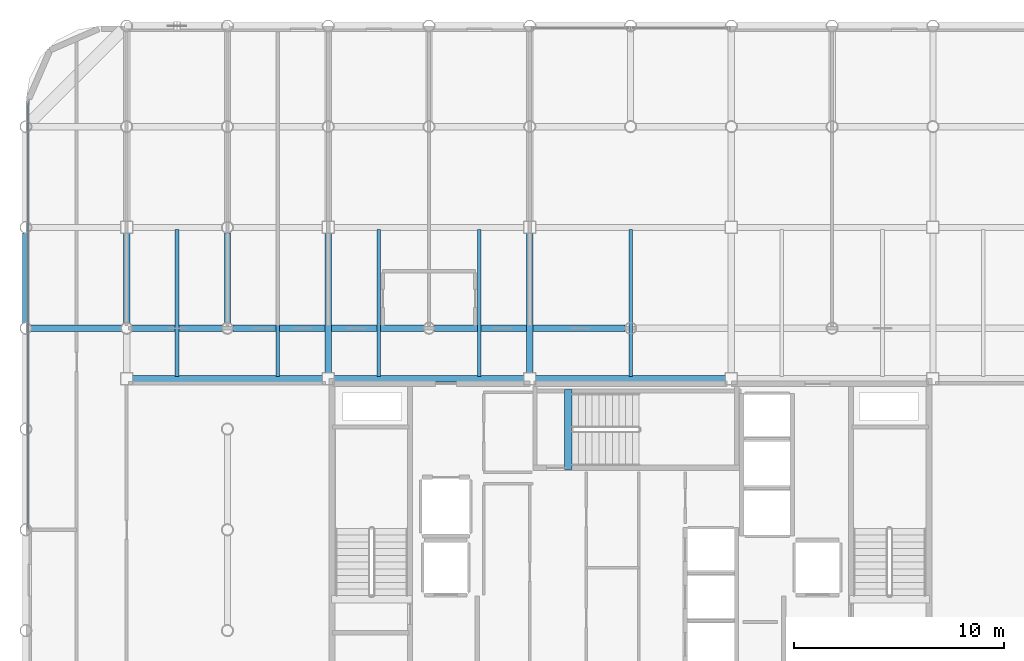
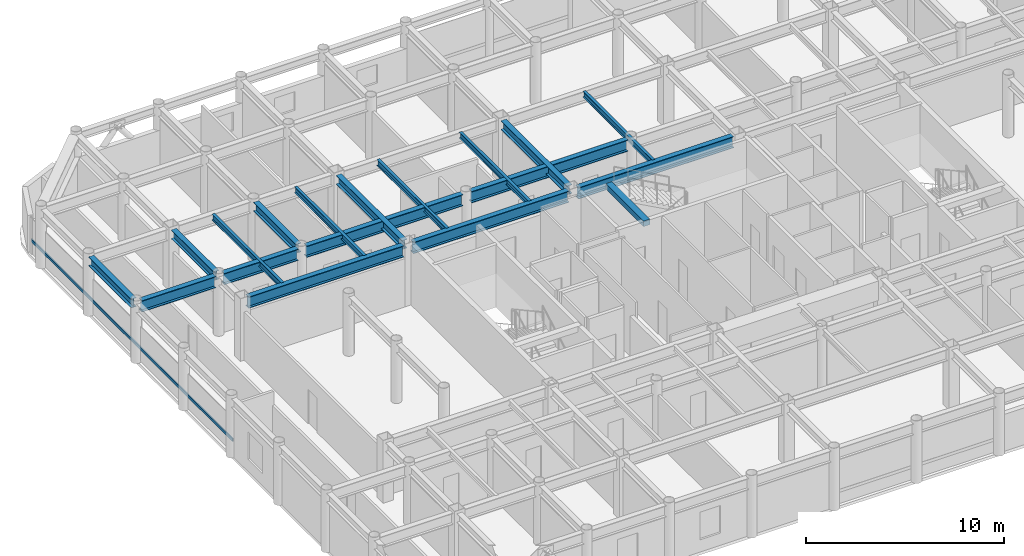
# One storey, part 7 of 22: 18 beams, 1 member, 1 element without a shape of its own.
"""IFC4 building model written with IfcOpenShell, lengths in metres."""

import ifcopenshell
import ifcopenshell.guid

model = None  # the IFC model being written
_history = None  # IfcOwnerHistory: only IFC2X3 demands one
_inside = {}  # id of a spatial element -> (the spatial element, [elements in it])
_under = {}  # id of a project, library or spatial element -> (it, [spatial elements below it])
_declared = {}  # id of a project -> (the project, [libraries it declares])
_typed = {}  # id of a type object -> (the type object, [elements of that type])
_made_of = {}  # id of a material, layer set ... -> (it, [elements and type objects made of it])


def new_model(schema):
    """Start an empty IFC model of exactly this schema.

    Asked for "IFC4X3", IfcOpenShell would pick the latest addendum, in which some entities
    have other attributes; the version numbers below select the first issue.
    IFC2X3 requires an IfcOwnerHistory on every rooted entity: one is made here for all.
    """
    global model, _history
    if schema == "IFC4X3":
        model = ifcopenshell.file(schema_version=(4, 3, 0, 0))
    else:
        model = ifcopenshell.file(schema=schema)
    _inside.clear()
    _under.clear()
    _declared.clear()
    _typed.clear()
    _made_of.clear()
    _history = None
    if model.schema == "IFC2X3":
        org = make("IfcOrganization", Name="unknown")
        user = make(
            "IfcPersonAndOrganization",
            ThePerson=make("IfcPerson", FamilyName="unknown"),
            TheOrganization=org,
        )
        app = make(
            "IfcApplication",
            ApplicationDeveloper=org,
            Version="unknown",
            ApplicationFullName="unknown",
            ApplicationIdentifier="unknown",
        )
        _history = make(
            "IfcOwnerHistory",
            OwningUser=user,
            OwningApplication=app,
            ChangeAction="ADDED",
            CreationDate=0,
        )
    return model


def make(cls, **values):
    """One entity of the class cls with the attributes given. An attribute that is None is left unset."""
    return model.create_entity(
        cls, **{name: value for name, value in values.items() if value is not None}
    )


def rooted(cls, **values):
    """An entity with a GlobalId (a new one), such as an element, a storey or a relation."""
    return make(cls, GlobalId=ifcopenshell.guid.new(), OwnerHistory=_history, **values)


def si_unit(unit_type, name, prefix=None):
    """IfcSIUnit, for example si_unit("LENGTHUNIT", "METRE", prefix="MILLI")."""
    return make("IfcSIUnit", UnitType=unit_type, Prefix=prefix, Name=name)


def assignment(units):
    """IfcUnitAssignment: the units of a project."""
    return None if units is None else make("IfcUnitAssignment", Units=units)


def point(xyz):
    """IfcCartesianPoint."""
    return None if xyz is None else make("IfcCartesianPoint", Coordinates=xyz)


def direction(xyz):
    """IfcDirection."""
    return None if xyz is None else make("IfcDirection", DirectionRatios=xyz)


def frame(location, z_axis=None, x_axis=None):
    """IfcAxis2Placement3D, a coordinate frame: its origin and axes. An axis left out is left unset."""
    return make(
        "IfcAxis2Placement3D",
        Location=point(location),
        Axis=direction(z_axis),
        RefDirection=direction(x_axis),
    )


def frame_2d(location, x_axis=None):
    """IfcAxis2Placement2D, a coordinate frame in the plane: its origin and x axis."""
    return make(
        "IfcAxis2Placement2D", Location=point(location), RefDirection=direction(x_axis)
    )


def origin():
    """The frame at (0, 0, 0) with its axes left unset."""
    return frame((0.0, 0.0, 0.0))


def origin_2d():
    """The frame at (0, 0) in the plane with its x axis left unset."""
    return frame_2d((0.0, 0.0))


def place(relative_to, where):
    """IfcLocalPlacement: puts the frame where relative to a parent placement (None: the world)."""
    return make(
        "IfcLocalPlacement", PlacementRelTo=relative_to, RelativePlacement=where
    )


def context(
    kind, dimensions, precision=None, world=None, true_north=None, identifier=None
):
    """IfcGeometricRepresentationContext, for example the 3D "Model" context."""
    return make(
        "IfcGeometricRepresentationContext",
        ContextIdentifier=identifier,
        ContextType=kind,
        CoordinateSpaceDimension=dimensions,
        Precision=precision,
        WorldCoordinateSystem=world,
        TrueNorth=true_north,
    )


def subcontext(parent, identifier, kind, view, scale=None):
    """IfcGeometricRepresentationSubContext, for example "Body" below "Model"."""
    return make(
        "IfcGeometricRepresentationSubContext",
        ContextIdentifier=identifier,
        ContextType=kind,
        ParentContext=parent,
        TargetScale=scale,
        TargetView=view,
    )


def project(units=None, contexts=None):
    """IfcProject with its units and contexts."""
    return rooted(
        "IfcProject",
        Name="project",
        RepresentationContexts=contexts,
        UnitsInContext=assignment(units),
    )


def spatial(cls, under=None, at=None, **own):
    """A site, building, storey or space (cls), placed at a placement, below another one or the project."""
    s = rooted(cls, ObjectPlacement=at, **own)
    if under is not None:
        _under.setdefault(under.id(), (under, []))[1].append(s)
    return s


def profile(cls, at=None, kind="AREA", **sizes):
    """A parametric profile (cls). Its sizes go by their IFC names, for example OverallWidth=200.0."""
    return make(cls, ProfileType=kind, Position=at, **sizes)


def rectangle(**sizes):
    """IfcRectangleProfileDef."""
    return profile("IfcRectangleProfileDef", **sizes)


def hollow_rectangle(**sizes):
    """IfcRectangleHollowProfileDef."""
    return profile("IfcRectangleHollowProfileDef", **sizes)


def i_section(**sizes):
    """IfcIShapeProfileDef."""
    return profile("IfcIShapeProfileDef", **sizes)


def extrude(swept, where, along, depth):
    """IfcExtrudedAreaSolid: the profile swept, set in the frame where, extruded along a direction by depth."""
    return make(
        "IfcExtrudedAreaSolid",
        SweptArea=swept,
        Position=where,
        ExtrudedDirection=direction(along),
        Depth=depth,
    )


def shape(context_of_items, identifier, shape_type, items):
    """IfcShapeRepresentation: the items that make up one representation, for example the "Body"."""
    return make(
        "IfcShapeRepresentation",
        ContextOfItems=context_of_items,
        RepresentationIdentifier=identifier,
        RepresentationType=shape_type,
        Items=items,
    )


def material(Name=None, Category=None):
    """IfcMaterial."""
    return make("IfcMaterial", Name=Name, Category=Category)


def layer(
    of_material, thickness, ventilated=None, Name=None, Category=None, Priority=None
):
    """IfcMaterialLayer: one layer of a wall or slab, of a material (None: an air gap)."""
    return make(
        "IfcMaterialLayer",
        Material=of_material,
        LayerThickness=thickness,
        IsVentilated=ventilated,
        Name=Name,
        Category=Category,
        Priority=Priority,
    )


def layer_set(layers, Name=None):
    """IfcMaterialLayerSet."""
    return make("IfcMaterialLayerSet", MaterialLayers=layers, LayerSetName=Name)


def material_profile(
    of_material, cross_section, Name=None, Category=None, Priority=None
):
    """IfcMaterialProfile: a cross section and its material."""
    return make(
        "IfcMaterialProfile",
        Name=Name,
        Material=of_material,
        Profile=cross_section,
        Priority=Priority,
        Category=Category,
    )


def profile_set(profiles, Name=None, composite=None):
    """IfcMaterialProfileSet."""
    return make(
        "IfcMaterialProfileSet",
        Name=Name,
        MaterialProfiles=profiles,
        CompositeProfile=composite,
    )


def made_of(thing, what):
    """Note that an element or type object is made of a material, layer set ...; save() writes the relation."""
    if what is not None:
        _made_of.setdefault(what.id(), (what, []))[1].append(thing)
    return thing


def type_object(cls, material=None, **own):
    """A type object (cls), such as IfcWallType, which elements share."""
    return made_of(rooted(cls, **own), material)


def element(
    cls,
    number,
    at=None,
    inside=None,
    cuts=None,
    type_object=None,
    material=None,
    context=None,
    identifier="Body",
    shape_type=None,
    held_by="IfcProductDefinitionShape",
    body=None,
    shapes=None,
    **own,
):
    """One element of the class cls, such as IfcWall. Its Tag is "e" and its number.

    at: its placement. inside: the storey or other place that contains it. cuts: it is an
    opening in that element (IfcRelVoidsElement). A single representation is given by context,
    identifier, shape_type and body (its items); several are given by shapes. held_by: the class
    of the entity that holds the representations. save() writes the other relations.
    """
    e = rooted(cls, Tag="e%d" % number, ObjectPlacement=at, **own)
    if body is not None:
        shapes = [shape(context, identifier, shape_type, body)]
    if shapes is not None:
        e.Representation = make(held_by, Representations=shapes)
    if inside is not None:
        _inside.setdefault(inside.id(), (inside, []))[1].append(e)
    if cuts is not None:
        rooted(
            "IfcRelVoidsElement", RelatingBuildingElement=cuts, RelatedOpeningElement=e
        )
    if type_object is not None:
        _typed.setdefault(type_object.id(), (type_object, []))[1].append(e)
    return made_of(e, material)


def aggregate(whole, parts):
    """IfcRelAggregates: a whole, such as a stair, and the parts it consists of."""
    return rooted("IfcRelAggregates", RelatingObject=whole, RelatedObjects=parts)


def save(model, path):
    """Write the relations noted so far, then the file.

    IfcRelAggregates (storeys below a building ...), IfcRelContainedInSpatialStructure (elements
    in a storey), IfcRelDefinesByType, IfcRelAssociatesMaterial and IfcRelDeclares: one each for
    every whole, place, type object, material and project.
    """
    for whole, parts in _under.values():
        aggregate(whole, parts)
    for where, things in _inside.values():
        rooted(
            "IfcRelContainedInSpatialStructure",
            RelatedElements=things,
            RelatingStructure=where,
        )
    for kind, things in _typed.values():
        rooted("IfcRelDefinesByType", RelatedObjects=things, RelatingType=kind)
    for what, things in _made_of.values():
        rooted("IfcRelAssociatesMaterial", RelatedObjects=things, RelatingMaterial=what)
    for by, libraries in _declared.values():
        rooted("IfcRelDeclares", RelatingContext=by, RelatedDefinitions=libraries)
    model.write(path)


model = new_model("IFC4")

# Units and contexts
model_context = context("Model", 3, precision=1e-05, world=origin(), true_north=direction((0.0, 1.0)))
body_context = subcontext(model_context, "Body", "Model", "MODEL_VIEW")
ifc_project = project(units=[si_unit("LENGTHUNIT", "METRE"), si_unit("AREAUNIT", "SQUARE_METRE"), si_unit("VOLUMEUNIT", "CUBIC_METRE"), si_unit("PLANEANGLEUNIT", "RADIAN"), si_unit("MASSUNIT", "GRAM", prefix="KILO")], contexts=[model_context])

# Site, building, storey
site_placement = place(None, origin())
site = spatial("IfcSite", under=ifc_project, at=site_placement, CompositionType="ELEMENT")
building_placement = place(site_placement, origin())
building = spatial("IfcBuilding", under=site, at=building_placement, Name="Kallvorn Hotel Tower", CompositionType="ELEMENT")
storey_placement = place(building_placement, frame((0.0, 0.0, 230.0)))
storey = spatial("IfcBuildingStorey", under=building, at=storey_placement, Name="L57", CompositionType="ELEMENT", Elevation=230.0)

# Beams
ifc_material_1 = material(Name="Structural steel S355JR", Category="steel")
ifc_material_profile_1 = material_profile(ifc_material_1, i_section(OverallWidth=0.300048828125, OverallDepth=0.550048828125, WebThickness=0.014892578125, FlangeThickness=0.029052734375, at=origin_2d()), Name="HE 550 B")
ifc_profile_set_1 = profile_set([ifc_material_profile_1], Name="Structural steel S355JR")
beam_type_1 = type_object("IfcBeamType", Name="BM_HE550B", PredefinedType="SPANDREL", material=ifc_profile_set_1)
beam_1_placement = place(storey_placement, frame((-28.800048828125, 9.8544921875, 3.39501953125), z_axis=(0.0, 1.0, 0.0), x_axis=(-1.0, 0.0, 0.0)))
element("IfcBeam", 1, at=beam_1_placement, inside=storey, type_object=beam_type_1, Name="L58 Primary Y-Girder 79", PredefinedType="SPANDREL", context=body_context, shape_type="SweptSolid", body=[
    extrude(i_section(OverallWidth=0.300048828125, OverallDepth=0.550048828125, WebThickness=0.014892578125, FlangeThickness=0.029052734375, at=origin_2d()), origin(), (0.0, 0.0, 1.0), 4.291015625),
])
beam_2_placement = place(storey_placement, frame((-24.0, 9.8544921875, 3.39501953125), z_axis=(0.0, 1.0, 0.0), x_axis=(-1.0, 0.0, 0.0)))
element("IfcBeam", 2, at=beam_2_placement, inside=storey, type_object=beam_type_1, Name="L58 Primary Y-Girder 85", PredefinedType="SPANDREL", context=body_context, shape_type="SweptSolid", body=[
    extrude(i_section(OverallWidth=0.300048828125, OverallDepth=0.550048828125, WebThickness=0.014892578125, FlangeThickness=0.029052734375, at=origin_2d()), origin(), (0.0, 0.0, 1.0), 4.2705078125),
])
beam_3_placement = place(storey_placement, frame((-19.199951171875, 9.8544921875, 3.39501953125), z_axis=(0.0, 1.0, 0.0), x_axis=(-1.0, 0.0, 0.0)))
element("IfcBeam", 3, at=beam_3_placement, inside=storey, type_object=beam_type_1, Name="L58 Primary Y-Girder 94", PredefinedType="SPANDREL", context=body_context, shape_type="SweptSolid", body=[
    extrude(i_section(OverallWidth=0.300048828125, OverallDepth=0.550048828125, WebThickness=0.014892578125, FlangeThickness=0.029052734375, at=origin_2d()), origin(), (0.0, 0.0, 1.0), 4.291015625),
])
for number, where, z_axis, x_axis, name in (
    (4, (-14.39990234375, 7.47509765625, 3.39501953125), (0.0, 1.0, 0.0), (-1.0, 0.0, 0.0), "L58 Primary Y-Girder 99"),
    (5, (-4.800048828125, 7.47509765625, 3.39501953125), (0.0, 1.0, 0.0), (-1.0, 0.0, 0.0), "L58 Primary Y-Girder 107"),
):
    element("IfcBeam", number, at=place(storey_placement, frame(where, z_axis=z_axis, x_axis=x_axis)), inside=storey, type_object=beam_type_1, Name=name, PredefinedType="SPANDREL", context=body_context, shape_type="SweptSolid", body=[
        extrude(i_section(OverallWidth=0.300048828125, OverallDepth=0.550048828125, WebThickness=0.014892578125, FlangeThickness=0.029052734375, at=origin_2d()), origin(), (0.0, 0.0, 1.0), 6.64990234375),
    ])
ifc_material_2 = material(Name="Structural steel S355JR", Category="steel")
ifc_material_profile_2 = material_profile(ifc_material_2, i_section(OverallWidth=0.300048828125, OverallDepth=0.699951171875, WebThickness=0.01708984375, FlangeThickness=0.031982421875, at=origin_2d()), Name="HE 700 B")
ifc_profile_set_2 = profile_set([ifc_material_profile_2], Name="Structural steel S355JR")
beam_type_2 = type_object("IfcBeamType", Name="BM_HE700B", PredefinedType="BEAM", material=ifc_profile_set_2)
for number, where, z_axis, x_axis, name in (
    (6, (-23.72509765625, 7.199951171875, 3.320068359375), (1.0, 0.0, 0.0), (0.0, 1.0, 0.0), "L58 Primary X-Girder 36"),
    (7, (-14.125, 7.199951171875, 3.320068359375), (1.0, 0.0, 0.0), (0.0, 1.0, 0.0), "L58 Primary X-Girder 37"),
):
    element("IfcBeam", number, at=place(storey_placement, frame(where, z_axis=z_axis, x_axis=x_axis)), inside=storey, type_object=beam_type_2, Name=name, PredefinedType="BEAM", context=body_context, shape_type="SweptSolid", body=[
        extrude(i_section(OverallWidth=0.300048828125, OverallDepth=0.699951171875, WebThickness=0.01708984375, FlangeThickness=0.031982421875, at=origin_2d()), origin(), (0.0, 0.0, 1.0), 9.050048828125),
    ])
beam_4_placement = place(storey_placement, frame((-4.52490234375, 7.199951171875, 3.320068359375), z_axis=(1.0, 0.0, 0.0), x_axis=(0.0, 1.0, 0.0)))
element("IfcBeam", 8, at=beam_4_placement, inside=storey, type_object=beam_type_2, Name="L58 Primary X-Girder 38", PredefinedType="BEAM", context=body_context, shape_type="SweptSolid", body=[
    extrude(i_section(OverallWidth=0.300048828125, OverallDepth=0.699951171875, WebThickness=0.01708984375, FlangeThickness=0.031982421875, at=origin_2d()), origin(), (0.0, 0.0, 1.0), 9.0498046875),
])
for number, where, z_axis, x_axis, name in (
    (9, (-28.54541015625, 9.60009765625, 3.320068359375), (1.0, 0.0, 0.0), (0.0, 1.0, 0.0), "L58 Primary X-Girder 41"),
    (10, (-23.74560546875, 9.60009765625, 3.320068359375), (1.0, 0.0, 0.0), (0.0, 1.0, 0.0), "L58 Primary X-Girder 42"),
):
    element("IfcBeam", number, at=place(storey_placement, frame(where, z_axis=z_axis, x_axis=x_axis)), inside=storey, type_object=beam_type_2, Name=name, PredefinedType="BEAM", context=body_context, shape_type="SweptSolid", body=[
        extrude(i_section(OverallWidth=0.300048828125, OverallDepth=0.699951171875, WebThickness=0.01708984375, FlangeThickness=0.031982421875, at=origin_2d()), origin(), (0.0, 0.0, 1.0), 4.291015625),
    ])
for number, where, z_axis, x_axis, name in (
    (11, (-18.945556640625, 9.60009765625, 3.320068359375), (1.0, 0.0, 0.0), (0.0, 1.0, 0.0), "L58 Primary X-Girder 43"),
    (12, (-9.345458984375, 9.60009765625, 3.320068359375), (1.0, 0.0, 0.0), (0.0, 1.0, 0.0), "L58 Primary X-Girder 44"),
):
    element("IfcBeam", number, at=place(storey_placement, frame(where, z_axis=z_axis, x_axis=x_axis)), inside=storey, type_object=beam_type_2, Name=name, PredefinedType="BEAM", context=body_context, shape_type="SweptSolid", body=[
        extrude(i_section(OverallWidth=0.300048828125, OverallDepth=0.699951171875, WebThickness=0.01708984375, FlangeThickness=0.031982421875, at=origin_2d()), origin(), (0.0, 0.0, 1.0), 9.091064453125),
    ])
ifc_material_3 = material(Name="Structural steel S355JR", Category="steel")
ifc_material_profile_3 = material_profile(ifc_material_3, i_section(OverallWidth=0.169921875, OverallDepth=0.360107421875, WebThickness=0.008056640625, FlangeThickness=0.0126953125, at=origin_2d()), Name="IPE 360")
ifc_profile_set_3 = profile_set([ifc_material_profile_3], Name="Structural steel S355JR")
beam_type_3 = type_object("IfcBeamType", Name="BM_IPE360", PredefinedType="JOIST", material=ifc_profile_set_3)
for number, where, z_axis, x_axis, name in (
    (13, (-21.60009765625, 7.300048828125, 3.489990234375), (0.0, 1.0, 0.0), (-1.0, 0.0, 0.0), "L58 Secondary Composite Joist 193"),
    (14, (-16.800048828125, 7.300048828125, 3.489990234375), (0.0, 1.0, 0.0), (-1.0, 0.0, 0.0), "L58 Secondary Composite Joist 195"),
    (15, (-12.0, 7.300048828125, 3.489990234375), (0.0, 1.0, 0.0), (-1.0, 0.0, 0.0), "L58 Secondary Composite Joist 197"),
    (16, (-7.199951171875, 7.300048828125, 3.489990234375), (0.0, 1.0, 0.0), (-1.0, 0.0, 0.0), "L58 Secondary Composite Joist 199"),
    (17, (0.0, 7.300048828125, 3.489990234375), (0.0, 1.0, 0.0), (-1.0, 0.0, 0.0), "L58 Secondary Composite Joist 201"),
):
    element("IfcBeam", number, at=place(storey_placement, frame(where, z_axis=z_axis, x_axis=x_axis)), inside=storey, type_object=beam_type_3, Name=name, PredefinedType="JOIST", context=body_context, shape_type="SweptSolid", body=[
        extrude(i_section(OverallWidth=0.169921875, OverallDepth=0.360107421875, WebThickness=0.008056640625, FlangeThickness=0.0126953125, at=origin_2d()), origin(), (0.0, 0.0, 1.0), 7.0),
    ])
ifc_material_4 = material(Name="Concrete C50/60", Category="concrete")
ifc_material_profile_4 = material_profile(ifc_material_4, rectangle(XDim=0.360107421875, YDim=0.340087890625, at=origin_2d()), Name="RC 360x340")
ifc_profile_set_4 = profile_set([ifc_material_profile_4], Name="Concrete C50/60")
beam_type_4 = type_object("IfcBeamType", Name="BM_RC_400x360", PredefinedType="BEAM", material=ifc_profile_set_4)
beam_5_placement = place(storey_placement, frame((-2.9599609375, 2.8701171875, 3.5), z_axis=(0.0, 1.0, 0.0), x_axis=(-1.0, 0.0, 0.0)))
element("IfcBeam", 18, at=beam_5_placement, inside=storey, type_object=beam_type_4, Name="L58 Stair ST3 Arrival Trimmer Beam", PredefinedType="BEAM", context=body_context, shape_type="SweptSolid", body=[
    extrude(rectangle(XDim=0.360107421875, YDim=0.340087890625, at=origin_2d()), origin(), (0.0, 0.0, 1.0), 3.81982421875),
])

# Curtain wall, member
ifc_material_5 = material(Name="Thermally broken black-anodised aluminium AA 6063-T6", Category="aluminium")
ifc_layer = layer(ifc_material_5, 0.22998046875)
ifc_layer_set = layer_set([ifc_layer], Name="CW_SYS_5_HOTEL_HIGH")
curtain_wall_type = type_object("IfcCurtainWallType", Name="CW_SYS_5_HOTEL_HIGH", PredefinedType="USERDEFINED", material=ifc_layer_set)
curtain_wall_placement = place(storey_placement, origin())
curtain_wall = element("IfcCurtainWall", 19, at=curtain_wall_placement, inside=storey, type_object=curtain_wall_type, Name="L57 Dark-Glass Curtain Wall CW-L57-WN", ObjectType="UNITISED CURTAIN WALL", PredefinedType="USERDEFINED")
ifc_material_6 = material(Name="Thermally broken black-anodised aluminium AA 6063-T6", Category="aluminium")
ifc_material_profile_5 = material_profile(ifc_material_6, hollow_rectangle(XDim=0.070068359375, YDim=0.179931640625, WallThickness=0.00390625, at=origin_2d()), Name="TRN 180x70")
ifc_profile_set_5 = profile_set([ifc_material_profile_5], Name="Thermally broken black-anodised aluminium AA 6063-T6")
member_type = type_object("IfcMemberType", Name="CW_TRANSOM_180x70", PredefinedType="USERDEFINED", material=ifc_profile_set_5)
member_placement = place(storey_placement, frame((-28.679931640625, 0.06005859375, 0.85009765625), z_axis=(0.0, 1.0, 0.0), x_axis=(-1.0, 0.0, 0.0)))
member = element("IfcMember", 20, at=member_placement, type_object=member_type, Name="CW-L57-WN Transom 00M", ObjectType="TRANSOM", PredefinedType="USERDEFINED", context=body_context, shape_type="SweptSolid", body=[
    extrude(hollow_rectangle(XDim=0.070068359375, YDim=0.179931640625, WallThickness=0.00390625, at=origin_2d()), origin(), (0.0, 0.0, 1.0), 20.300048828125),
])
aggregate(curtain_wall, [member])

save(model, "model.ifc")
